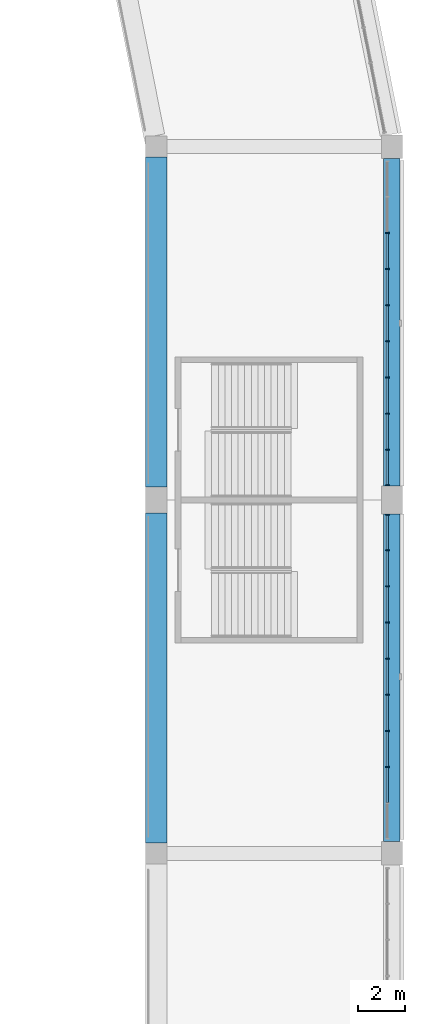
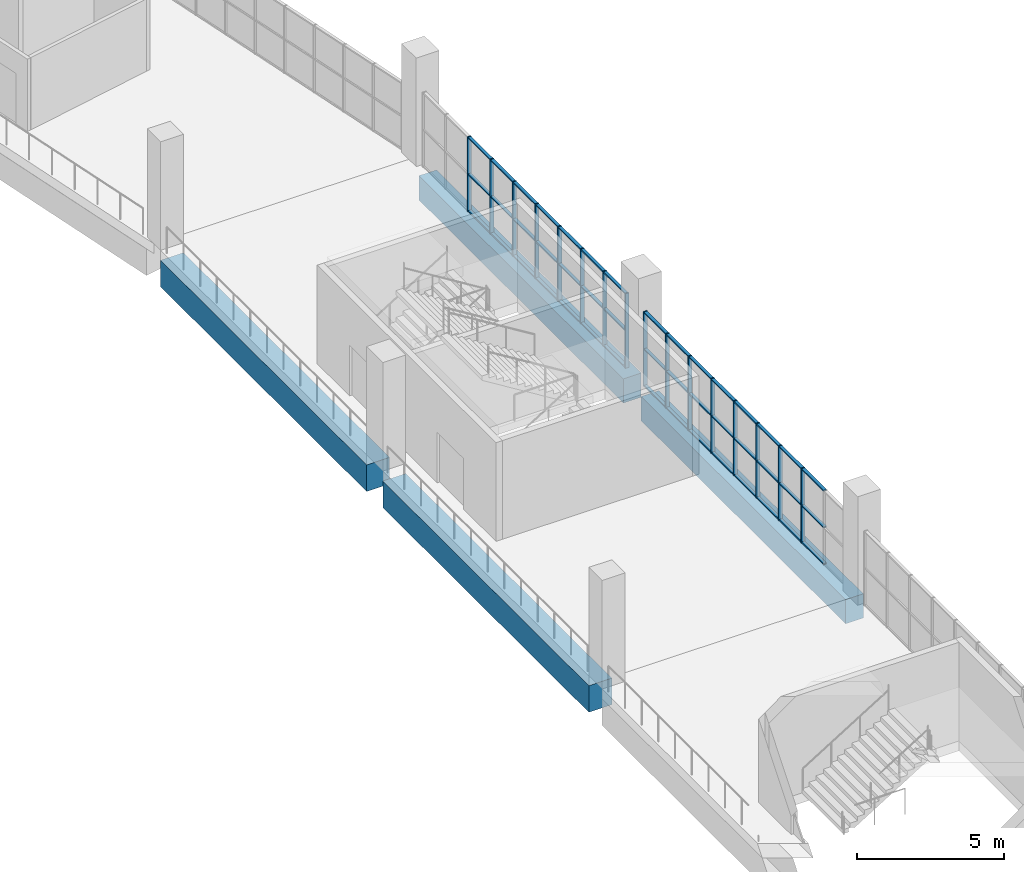
# One storey, part 36 of 177: 61 members, 4 beams, 2 elements without a shape of their own.
"""IFC4 building model written with IfcOpenShell, lengths in metres."""

from ifc_helpers import new_model, si_unit, direction, frame, origin, origin_2d, place, context, subcontext, project, spatial, rectangle, extrude, material, material_profile, profile_set, type_object, element, aggregate, save


model = new_model("IFC4")

# Units and contexts
model_context = context("Model", 3, precision=1e-05, world=origin(), true_north=direction((0.0, 1.0)))
body_context = subcontext(model_context, "Body", "Model", "MODEL_VIEW")
ifc_project = project(units=[si_unit("LENGTHUNIT", "METRE"), si_unit("AREAUNIT", "SQUARE_METRE"), si_unit("VOLUMEUNIT", "CUBIC_METRE"), si_unit("PLANEANGLEUNIT", "RADIAN"), si_unit("MASSUNIT", "GRAM", prefix="KILO")], contexts=[model_context])

# Site, building, storey
site_placement = place(None, origin())
site = spatial("IfcSite", under=ifc_project, at=site_placement, CompositionType="ELEMENT")
building_placement = place(site_placement, origin())
building = spatial("IfcBuilding", under=site, at=building_placement, Name="Ogive Plaza Stadium", CompositionType="ELEMENT")
storey_placement = place(building_placement, frame((0.0, 0.0, 18.0)))
storey = spatial("IfcBuildingStorey", under=building, at=storey_placement, Name="L04", CompositionType="ELEMENT", Elevation=18.0)

# Curtain wall, members
ifc_material_1 = material(Name="Bronze-anodised aluminium with laminated glass", Category="aluminium")
curtain_wall_type = type_object("IfcCurtainWallType", Name="Lancet curtain wall", PredefinedType="NOTDEFINED", material=ifc_material_1)
curtain_wall_1_placement = place(storey_placement, origin())
curtain_wall_1 = element("IfcCurtainWall", 1, at=curtain_wall_1_placement, inside=storey, type_object=curtain_wall_type, Name="CURTAIN WALL B01 L04", PredefinedType="NOTDEFINED")
ifc_material_2 = material(Name="Bronze-anodised aluminium", Category="aluminium")
ifc_material_profile_1 = material_profile(ifc_material_2, rectangle(XDim=0.14990234375, YDim=0.050048828125, at=origin_2d()), Name="AL 150x50")
ifc_profile_set_1 = profile_set([ifc_material_profile_1], Name="Bronze-anodised aluminium")
member_type_1 = type_object("IfcMemberType", Name="Curtain wall mullion 50x150", PredefinedType="MULLION", material=ifc_profile_set_1)
member_1_placement = place(storey_placement, frame((83.800048828125, 48.833251953125, 0.0), z_axis=(0.0, 0.0, 1.0), x_axis=(1.0, 0.0, 0.0)))
member_1 = element("IfcMember", 2, at=member_1_placement, type_object=member_type_1, Name="CW-B01-L04 mullion 3", PredefinedType="MULLION", context=body_context, shape_type="SweptSolid", body=[
    extrude(rectangle(XDim=0.14990234375, YDim=0.050048828125, at=origin_2d()), origin(), (0.0, 0.0, 1.0), 3.090087890625),
])
member_2_placement = place(storey_placement, frame((83.800048828125, 47.300048828125, 0.0), z_axis=(0.0, 0.0, 1.0), x_axis=(1.0, 0.0, 0.0)))
member_2 = element("IfcMember", 3, at=member_2_placement, type_object=member_type_1, Name="CW-B01-L04 mullion 4", PredefinedType="MULLION", context=body_context, shape_type="SweptSolid", body=[
    extrude(rectangle(XDim=0.14990234375, YDim=0.050048828125, at=origin_2d()), origin(), (0.0, 0.0, 1.0), 3.090087890625),
])
member_3_placement = place(storey_placement, frame((83.800048828125, 45.7666015625, 0.0), z_axis=(0.0, 0.0, 1.0), x_axis=(1.0, 0.0, 0.0)))
member_3 = element("IfcMember", 4, at=member_3_placement, type_object=member_type_1, Name="CW-B01-L04 mullion 5", PredefinedType="MULLION", context=body_context, shape_type="SweptSolid", body=[
    extrude(rectangle(XDim=0.14990234375, YDim=0.050048828125, at=origin_2d()), origin(), (0.0, 0.0, 1.0), 3.090087890625),
])
member_4_placement = place(storey_placement, frame((83.800048828125, 44.2333984375, 0.0), z_axis=(0.0, 0.0, 1.0), x_axis=(1.0, 0.0, 0.0)))
member_4 = element("IfcMember", 5, at=member_4_placement, type_object=member_type_1, Name="CW-B01-L04 mullion 6", PredefinedType="MULLION", context=body_context, shape_type="SweptSolid", body=[
    extrude(rectangle(XDim=0.14990234375, YDim=0.050048828125, at=origin_2d()), origin(), (0.0, 0.0, 1.0), 3.090087890625),
])
member_5_placement = place(storey_placement, frame((83.800048828125, 42.699951171875, 0.0), z_axis=(0.0, 0.0, 1.0), x_axis=(1.0, 0.0, 0.0)))
member_5 = element("IfcMember", 6, at=member_5_placement, type_object=member_type_1, Name="CW-B01-L04 mullion 7", PredefinedType="MULLION", context=body_context, shape_type="SweptSolid", body=[
    extrude(rectangle(XDim=0.14990234375, YDim=0.050048828125, at=origin_2d()), origin(), (0.0, 0.0, 1.0), 3.090087890625),
])
member_6_placement = place(storey_placement, frame((83.800048828125, 41.166748046875, 0.0), z_axis=(0.0, 0.0, 1.0), x_axis=(1.0, 0.0, 0.0)))
member_6 = element("IfcMember", 7, at=member_6_placement, type_object=member_type_1, Name="CW-B01-L04 mullion 8", PredefinedType="MULLION", context=body_context, shape_type="SweptSolid", body=[
    extrude(rectangle(XDim=0.14990234375, YDim=0.050048828125, at=origin_2d()), origin(), (0.0, 0.0, 1.0), 3.090087890625),
])
member_7_placement = place(storey_placement, frame((83.800048828125, 39.63330078125, 0.0), z_axis=(0.0, 0.0, 1.0), x_axis=(1.0, 0.0, 0.0)))
member_7 = element("IfcMember", 8, at=member_7_placement, type_object=member_type_1, Name="CW-B01-L04 mullion 9", PredefinedType="MULLION", context=body_context, shape_type="SweptSolid", body=[
    extrude(rectangle(XDim=0.14990234375, YDim=0.050048828125, at=origin_2d()), origin(), (0.0, 0.0, 1.0), 3.090087890625),
])
member_8_placement = place(storey_placement, frame((83.800048828125, 38.125, 0.0), z_axis=(0.0, 0.0, 1.0), x_axis=(1.0, 0.0, 0.0)))
member_8 = element("IfcMember", 9, at=member_8_placement, type_object=member_type_1, Name="CW-B01-L04 mullion 10", PredefinedType="MULLION", context=body_context, shape_type="SweptSolid", body=[
    extrude(rectangle(XDim=0.14990234375, YDim=0.050048828125, at=origin_2d()), origin(), (0.0, 0.0, 1.0), 3.090087890625),
])

curtain_wall_2_placement = place(storey_placement, origin())
curtain_wall_2 = element("IfcCurtainWall", 10, at=curtain_wall_2_placement, inside=storey, type_object=curtain_wall_type, Name="CURTAIN WALL B02 L04", PredefinedType="NOTDEFINED")
member_9_placement = place(storey_placement, frame((83.800048828125, 36.875, 0.0), z_axis=(0.0, 0.0, 1.0), x_axis=(1.0, 0.0, 0.0)))
member_9 = element("IfcMember", 11, at=member_9_placement, type_object=member_type_1, Name="CW-B02-L04 mullion 1", PredefinedType="MULLION", context=body_context, shape_type="SweptSolid", body=[
    extrude(rectangle(XDim=0.14990234375, YDim=0.050048828125, at=origin_2d()), origin(), (0.0, 0.0, 1.0), 3.090087890625),
])
member_10_placement = place(storey_placement, frame((83.800048828125, 35.36669921875, 0.0), z_axis=(0.0, 0.0, 1.0), x_axis=(1.0, 0.0, 0.0)))
member_10 = element("IfcMember", 12, at=member_10_placement, type_object=member_type_1, Name="CW-B02-L04 mullion 2", PredefinedType="MULLION", context=body_context, shape_type="SweptSolid", body=[
    extrude(rectangle(XDim=0.14990234375, YDim=0.050048828125, at=origin_2d()), origin(), (0.0, 0.0, 1.0), 3.090087890625),
])
member_11_placement = place(storey_placement, frame((83.800048828125, 33.833251953125, 0.0), z_axis=(0.0, 0.0, 1.0), x_axis=(1.0, 0.0, 0.0)))
member_11 = element("IfcMember", 13, at=member_11_placement, type_object=member_type_1, Name="CW-B02-L04 mullion 3", PredefinedType="MULLION", context=body_context, shape_type="SweptSolid", body=[
    extrude(rectangle(XDim=0.14990234375, YDim=0.050048828125, at=origin_2d()), origin(), (0.0, 0.0, 1.0), 3.090087890625),
])
member_12_placement = place(storey_placement, frame((83.800048828125, 32.300048828125, 0.0), z_axis=(0.0, 0.0, 1.0), x_axis=(1.0, 0.0, 0.0)))
member_12 = element("IfcMember", 14, at=member_12_placement, type_object=member_type_1, Name="CW-B02-L04 mullion 4", PredefinedType="MULLION", context=body_context, shape_type="SweptSolid", body=[
    extrude(rectangle(XDim=0.14990234375, YDim=0.050048828125, at=origin_2d()), origin(), (0.0, 0.0, 1.0), 3.090087890625),
])
member_13_placement = place(storey_placement, frame((83.800048828125, 30.7666015625, 0.0), z_axis=(0.0, 0.0, 1.0), x_axis=(1.0, 0.0, 0.0)))
member_13 = element("IfcMember", 15, at=member_13_placement, type_object=member_type_1, Name="CW-B02-L04 mullion 5", PredefinedType="MULLION", context=body_context, shape_type="SweptSolid", body=[
    extrude(rectangle(XDim=0.14990234375, YDim=0.050048828125, at=origin_2d()), origin(), (0.0, 0.0, 1.0), 3.090087890625),
])
member_14_placement = place(storey_placement, frame((83.800048828125, 29.2333984375, 0.0), z_axis=(0.0, 0.0, 1.0), x_axis=(1.0, 0.0, 0.0)))
member_14 = element("IfcMember", 16, at=member_14_placement, type_object=member_type_1, Name="CW-B02-L04 mullion 6", PredefinedType="MULLION", context=body_context, shape_type="SweptSolid", body=[
    extrude(rectangle(XDim=0.14990234375, YDim=0.050048828125, at=origin_2d()), origin(), (0.0, 0.0, 1.0), 3.090087890625),
])
member_15_placement = place(storey_placement, frame((83.800048828125, 27.699951171875, 0.0), z_axis=(0.0, 0.0, 1.0), x_axis=(1.0, 0.0, 0.0)))
member_15 = element("IfcMember", 17, at=member_15_placement, type_object=member_type_1, Name="CW-B02-L04 mullion 7", PredefinedType="MULLION", context=body_context, shape_type="SweptSolid", body=[
    extrude(rectangle(XDim=0.14990234375, YDim=0.050048828125, at=origin_2d()), origin(), (0.0, 0.0, 1.0), 3.090087890625),
])
member_16_placement = place(storey_placement, frame((83.800048828125, 26.166748046875, 0.0), z_axis=(0.0, 0.0, 1.0), x_axis=(1.0, 0.0, 0.0)))
member_16 = element("IfcMember", 18, at=member_16_placement, type_object=member_type_1, Name="CW-B02-L04 mullion 8", PredefinedType="MULLION", context=body_context, shape_type="SweptSolid", body=[
    extrude(rectangle(XDim=0.14990234375, YDim=0.050048828125, at=origin_2d()), origin(), (0.0, 0.0, 1.0), 3.090087890625),
])

# Member
ifc_material_3 = material(Name="Bronze-anodised aluminium", Category="aluminium")
ifc_material_profile_2 = material_profile(ifc_material_3, rectangle(XDim=0.1201171875, YDim=0.050048828125, at=origin_2d()), Name="AL 120x50")
ifc_profile_set_2 = profile_set([ifc_material_profile_2], Name="Bronze-anodised aluminium")
member_type_2 = type_object("IfcMemberType", Name="Curtain wall transom 50x120", PredefinedType="USERDEFINED", material=ifc_profile_set_2)
member_17_placement = place(storey_placement, frame((83.800048828125, 48.808349609375, 0.02490234375), z_axis=(0.0, -1.0, 0.0), x_axis=(1.0, 0.0, 0.0)))
member_17 = element("IfcMember", 19, at=member_17_placement, type_object=member_type_2, Name="CW-B01-L04 transom 3.1", ObjectType="TRANSOM", PredefinedType="USERDEFINED", context=body_context, shape_type="SweptSolid", body=[
    extrude(rectangle(XDim=0.1201171875, YDim=0.050048828125, at=origin_2d()), origin(), (0.0, 0.0, 1.0), 1.4833984375),
])

member_18_placement = place(storey_placement, frame((83.800048828125, 48.808349609375, 1.544921875), z_axis=(0.0, -1.0, 0.0), x_axis=(1.0, 0.0, 0.0)))
member_18 = element("IfcMember", 20, at=member_18_placement, type_object=member_type_2, Name="CW-B01-L04 transom 3.2", ObjectType="TRANSOM", PredefinedType="USERDEFINED", context=body_context, shape_type="SweptSolid", body=[
    extrude(rectangle(XDim=0.1201171875, YDim=0.050048828125, at=origin_2d()), origin(), (0.0, 0.0, 1.0), 1.4833984375),
])

member_19_placement = place(storey_placement, frame((83.800048828125, 48.808349609375, 3.06494140625), z_axis=(0.0, -1.0, 0.0), x_axis=(1.0, 0.0, 0.0)))
member_19 = element("IfcMember", 21, at=member_19_placement, type_object=member_type_2, Name="CW-B01-L04 transom 3.3", ObjectType="TRANSOM", PredefinedType="USERDEFINED", context=body_context, shape_type="SweptSolid", body=[
    extrude(rectangle(XDim=0.1201171875, YDim=0.050048828125, at=origin_2d()), origin(), (0.0, 0.0, 1.0), 1.4833984375),
])

member_20_placement = place(storey_placement, frame((83.800048828125, 47.27490234375, 0.02490234375), z_axis=(0.0, -1.0, 0.0), x_axis=(1.0, 0.0, 0.0)))
member_20 = element("IfcMember", 22, at=member_20_placement, type_object=member_type_2, Name="CW-B01-L04 transom 4.1", ObjectType="TRANSOM", PredefinedType="USERDEFINED", context=body_context, shape_type="SweptSolid", body=[
    extrude(rectangle(XDim=0.1201171875, YDim=0.050048828125, at=origin_2d()), origin(), (0.0, 0.0, 1.0), 1.483154296875),
])

member_21_placement = place(storey_placement, frame((83.800048828125, 47.27490234375, 1.544921875), z_axis=(0.0, -1.0, 0.0), x_axis=(1.0, 0.0, 0.0)))
member_21 = element("IfcMember", 23, at=member_21_placement, type_object=member_type_2, Name="CW-B01-L04 transom 4.2", ObjectType="TRANSOM", PredefinedType="USERDEFINED", context=body_context, shape_type="SweptSolid", body=[
    extrude(rectangle(XDim=0.1201171875, YDim=0.050048828125, at=origin_2d()), origin(), (0.0, 0.0, 1.0), 1.483154296875),
])

member_22_placement = place(storey_placement, frame((83.800048828125, 47.27490234375, 3.06494140625), z_axis=(0.0, -1.0, 0.0), x_axis=(1.0, 0.0, 0.0)))
member_22 = element("IfcMember", 24, at=member_22_placement, type_object=member_type_2, Name="CW-B01-L04 transom 4.3", ObjectType="TRANSOM", PredefinedType="USERDEFINED", context=body_context, shape_type="SweptSolid", body=[
    extrude(rectangle(XDim=0.1201171875, YDim=0.050048828125, at=origin_2d()), origin(), (0.0, 0.0, 1.0), 1.483154296875),
])

member_23_placement = place(storey_placement, frame((83.800048828125, 45.74169921875, 0.02490234375), z_axis=(0.0, -1.0, 0.0), x_axis=(1.0, 0.0, 0.0)))
member_23 = element("IfcMember", 25, at=member_23_placement, type_object=member_type_2, Name="CW-B01-L04 transom 5.1", ObjectType="TRANSOM", PredefinedType="USERDEFINED", context=body_context, shape_type="SweptSolid", body=[
    extrude(rectangle(XDim=0.1201171875, YDim=0.050048828125, at=origin_2d()), origin(), (0.0, 0.0, 1.0), 1.4833984375),
])

member_24_placement = place(storey_placement, frame((83.800048828125, 45.74169921875, 1.544921875), z_axis=(0.0, -1.0, 0.0), x_axis=(1.0, 0.0, 0.0)))
member_24 = element("IfcMember", 26, at=member_24_placement, type_object=member_type_2, Name="CW-B01-L04 transom 5.2", ObjectType="TRANSOM", PredefinedType="USERDEFINED", context=body_context, shape_type="SweptSolid", body=[
    extrude(rectangle(XDim=0.1201171875, YDim=0.050048828125, at=origin_2d()), origin(), (0.0, 0.0, 1.0), 1.4833984375),
])

member_25_placement = place(storey_placement, frame((83.800048828125, 45.74169921875, 3.06494140625), z_axis=(0.0, -1.0, 0.0), x_axis=(1.0, 0.0, 0.0)))
member_25 = element("IfcMember", 27, at=member_25_placement, type_object=member_type_2, Name="CW-B01-L04 transom 5.3", ObjectType="TRANSOM", PredefinedType="USERDEFINED", context=body_context, shape_type="SweptSolid", body=[
    extrude(rectangle(XDim=0.1201171875, YDim=0.050048828125, at=origin_2d()), origin(), (0.0, 0.0, 1.0), 1.4833984375),
])

member_26_placement = place(storey_placement, frame((83.800048828125, 44.208251953125, 0.02490234375), z_axis=(0.0, -1.0, 0.0), x_axis=(1.0, 0.0, 0.0)))
member_26 = element("IfcMember", 28, at=member_26_placement, type_object=member_type_2, Name="CW-B01-L04 transom 6.1", ObjectType="TRANSOM", PredefinedType="USERDEFINED", context=body_context, shape_type="SweptSolid", body=[
    extrude(rectangle(XDim=0.1201171875, YDim=0.050048828125, at=origin_2d()), origin(), (0.0, 0.0, 1.0), 1.483154296875),
])

member_27_placement = place(storey_placement, frame((83.800048828125, 44.208251953125, 1.544921875), z_axis=(0.0, -1.0, 0.0), x_axis=(1.0, 0.0, 0.0)))
member_27 = element("IfcMember", 29, at=member_27_placement, type_object=member_type_2, Name="CW-B01-L04 transom 6.2", ObjectType="TRANSOM", PredefinedType="USERDEFINED", context=body_context, shape_type="SweptSolid", body=[
    extrude(rectangle(XDim=0.1201171875, YDim=0.050048828125, at=origin_2d()), origin(), (0.0, 0.0, 1.0), 1.483154296875),
])

member_28_placement = place(storey_placement, frame((83.800048828125, 44.208251953125, 3.06494140625), z_axis=(0.0, -1.0, 0.0), x_axis=(1.0, 0.0, 0.0)))
member_28 = element("IfcMember", 30, at=member_28_placement, type_object=member_type_2, Name="CW-B01-L04 transom 6.3", ObjectType="TRANSOM", PredefinedType="USERDEFINED", context=body_context, shape_type="SweptSolid", body=[
    extrude(rectangle(XDim=0.1201171875, YDim=0.050048828125, at=origin_2d()), origin(), (0.0, 0.0, 1.0), 1.483154296875),
])

member_29_placement = place(storey_placement, frame((83.800048828125, 42.675048828125, 0.02490234375), z_axis=(0.0, -1.0, 0.0), x_axis=(1.0, 0.0, 0.0)))
member_29 = element("IfcMember", 31, at=member_29_placement, type_object=member_type_2, Name="CW-B01-L04 transom 7.1", ObjectType="TRANSOM", PredefinedType="USERDEFINED", context=body_context, shape_type="SweptSolid", body=[
    extrude(rectangle(XDim=0.1201171875, YDim=0.050048828125, at=origin_2d()), origin(), (0.0, 0.0, 1.0), 1.4833984375),
])

member_30_placement = place(storey_placement, frame((83.800048828125, 42.675048828125, 1.544921875), z_axis=(0.0, -1.0, 0.0), x_axis=(1.0, 0.0, 0.0)))
member_30 = element("IfcMember", 32, at=member_30_placement, type_object=member_type_2, Name="CW-B01-L04 transom 7.2", ObjectType="TRANSOM", PredefinedType="USERDEFINED", context=body_context, shape_type="SweptSolid", body=[
    extrude(rectangle(XDim=0.1201171875, YDim=0.050048828125, at=origin_2d()), origin(), (0.0, 0.0, 1.0), 1.4833984375),
])

member_31_placement = place(storey_placement, frame((83.800048828125, 42.675048828125, 3.06494140625), z_axis=(0.0, -1.0, 0.0), x_axis=(1.0, 0.0, 0.0)))
member_31 = element("IfcMember", 33, at=member_31_placement, type_object=member_type_2, Name="CW-B01-L04 transom 7.3", ObjectType="TRANSOM", PredefinedType="USERDEFINED", context=body_context, shape_type="SweptSolid", body=[
    extrude(rectangle(XDim=0.1201171875, YDim=0.050048828125, at=origin_2d()), origin(), (0.0, 0.0, 1.0), 1.4833984375),
])

member_32_placement = place(storey_placement, frame((83.800048828125, 41.1416015625, 0.02490234375), z_axis=(0.0, -1.0, 0.0), x_axis=(1.0, 0.0, 0.0)))
member_32 = element("IfcMember", 34, at=member_32_placement, type_object=member_type_2, Name="CW-B01-L04 transom 8.1", ObjectType="TRANSOM", PredefinedType="USERDEFINED", context=body_context, shape_type="SweptSolid", body=[
    extrude(rectangle(XDim=0.1201171875, YDim=0.050048828125, at=origin_2d()), origin(), (0.0, 0.0, 1.0), 1.483154296875),
])

member_33_placement = place(storey_placement, frame((83.800048828125, 41.1416015625, 1.544921875), z_axis=(0.0, -1.0, 0.0), x_axis=(1.0, 0.0, 0.0)))
member_33 = element("IfcMember", 35, at=member_33_placement, type_object=member_type_2, Name="CW-B01-L04 transom 8.2", ObjectType="TRANSOM", PredefinedType="USERDEFINED", context=body_context, shape_type="SweptSolid", body=[
    extrude(rectangle(XDim=0.1201171875, YDim=0.050048828125, at=origin_2d()), origin(), (0.0, 0.0, 1.0), 1.483154296875),
])

member_34_placement = place(storey_placement, frame((83.800048828125, 41.1416015625, 3.06494140625), z_axis=(0.0, -1.0, 0.0), x_axis=(1.0, 0.0, 0.0)))
member_34 = element("IfcMember", 36, at=member_34_placement, type_object=member_type_2, Name="CW-B01-L04 transom 8.3", ObjectType="TRANSOM", PredefinedType="USERDEFINED", context=body_context, shape_type="SweptSolid", body=[
    extrude(rectangle(XDim=0.1201171875, YDim=0.050048828125, at=origin_2d()), origin(), (0.0, 0.0, 1.0), 1.483154296875),
])

member_35_placement = place(storey_placement, frame((83.800048828125, 39.6083984375, 0.02490234375), z_axis=(0.0, -1.0, 0.0), x_axis=(1.0, 0.0, 0.0)))
member_35 = element("IfcMember", 37, at=member_35_placement, type_object=member_type_2, Name="CW-B01-L04 transom 9.1", ObjectType="TRANSOM", PredefinedType="USERDEFINED", context=body_context, shape_type="SweptSolid", body=[
    extrude(rectangle(XDim=0.1201171875, YDim=0.050048828125, at=origin_2d()), origin(), (0.0, 0.0, 1.0), 1.45849609375),
])

member_36_placement = place(storey_placement, frame((83.800048828125, 39.6083984375, 1.544921875), z_axis=(0.0, -1.0, 0.0), x_axis=(1.0, 0.0, 0.0)))
member_36 = element("IfcMember", 38, at=member_36_placement, type_object=member_type_2, Name="CW-B01-L04 transom 9.2", ObjectType="TRANSOM", PredefinedType="USERDEFINED", context=body_context, shape_type="SweptSolid", body=[
    extrude(rectangle(XDim=0.1201171875, YDim=0.050048828125, at=origin_2d()), origin(), (0.0, 0.0, 1.0), 1.45849609375),
])

member_37_placement = place(storey_placement, frame((83.800048828125, 39.6083984375, 3.06494140625), z_axis=(0.0, -1.0, 0.0), x_axis=(1.0, 0.0, 0.0)))
member_37 = element("IfcMember", 39, at=member_37_placement, type_object=member_type_2, Name="CW-B01-L04 transom 9.3", ObjectType="TRANSOM", PredefinedType="USERDEFINED", context=body_context, shape_type="SweptSolid", body=[
    extrude(rectangle(XDim=0.1201171875, YDim=0.050048828125, at=origin_2d()), origin(), (0.0, 0.0, 1.0), 1.45849609375),
])

aggregate(curtain_wall_1, [member_1, member_2, member_3, member_4, member_5, member_6, member_7, member_8, member_17, member_18, member_19, member_20, member_21, member_22, member_23, member_24, member_25, member_26, member_27, member_28, member_29, member_30, member_31, member_32, member_33, member_34, member_35, member_36, member_37])

member_38_placement = place(storey_placement, frame((83.800048828125, 36.85009765625, 0.02490234375), z_axis=(0.0, -1.0, 0.0), x_axis=(1.0, 0.0, 0.0)))
member_38 = element("IfcMember", 40, at=member_38_placement, type_object=member_type_2, Name="CW-B02-L04 transom 1.1", ObjectType="TRANSOM", PredefinedType="USERDEFINED", context=body_context, shape_type="SweptSolid", body=[
    extrude(rectangle(XDim=0.1201171875, YDim=0.050048828125, at=origin_2d()), origin(), (0.0, 0.0, 1.0), 1.45849609375),
])

member_39_placement = place(storey_placement, frame((83.800048828125, 36.85009765625, 1.544921875), z_axis=(0.0, -1.0, 0.0), x_axis=(1.0, 0.0, 0.0)))
member_39 = element("IfcMember", 41, at=member_39_placement, type_object=member_type_2, Name="CW-B02-L04 transom 1.2", ObjectType="TRANSOM", PredefinedType="USERDEFINED", context=body_context, shape_type="SweptSolid", body=[
    extrude(rectangle(XDim=0.1201171875, YDim=0.050048828125, at=origin_2d()), origin(), (0.0, 0.0, 1.0), 1.45849609375),
])

member_40_placement = place(storey_placement, frame((83.800048828125, 36.85009765625, 3.06494140625), z_axis=(0.0, -1.0, 0.0), x_axis=(1.0, 0.0, 0.0)))
member_40 = element("IfcMember", 42, at=member_40_placement, type_object=member_type_2, Name="CW-B02-L04 transom 1.3", ObjectType="TRANSOM", PredefinedType="USERDEFINED", context=body_context, shape_type="SweptSolid", body=[
    extrude(rectangle(XDim=0.1201171875, YDim=0.050048828125, at=origin_2d()), origin(), (0.0, 0.0, 1.0), 1.45849609375),
])

member_41_placement = place(storey_placement, frame((83.800048828125, 35.341552734375, 0.02490234375), z_axis=(0.0, -1.0, 0.0), x_axis=(1.0, 0.0, 0.0)))
member_41 = element("IfcMember", 43, at=member_41_placement, type_object=member_type_2, Name="CW-B02-L04 transom 2.1", ObjectType="TRANSOM", PredefinedType="USERDEFINED", context=body_context, shape_type="SweptSolid", body=[
    extrude(rectangle(XDim=0.1201171875, YDim=0.050048828125, at=origin_2d()), origin(), (0.0, 0.0, 1.0), 1.483154296875),
])

member_42_placement = place(storey_placement, frame((83.800048828125, 35.341552734375, 1.544921875), z_axis=(0.0, -1.0, 0.0), x_axis=(1.0, 0.0, 0.0)))
member_42 = element("IfcMember", 44, at=member_42_placement, type_object=member_type_2, Name="CW-B02-L04 transom 2.2", ObjectType="TRANSOM", PredefinedType="USERDEFINED", context=body_context, shape_type="SweptSolid", body=[
    extrude(rectangle(XDim=0.1201171875, YDim=0.050048828125, at=origin_2d()), origin(), (0.0, 0.0, 1.0), 1.483154296875),
])

member_43_placement = place(storey_placement, frame((83.800048828125, 35.341552734375, 3.06494140625), z_axis=(0.0, -1.0, 0.0), x_axis=(1.0, 0.0, 0.0)))
member_43 = element("IfcMember", 45, at=member_43_placement, type_object=member_type_2, Name="CW-B02-L04 transom 2.3", ObjectType="TRANSOM", PredefinedType="USERDEFINED", context=body_context, shape_type="SweptSolid", body=[
    extrude(rectangle(XDim=0.1201171875, YDim=0.050048828125, at=origin_2d()), origin(), (0.0, 0.0, 1.0), 1.483154296875),
])

member_44_placement = place(storey_placement, frame((83.800048828125, 33.808349609375, 0.02490234375), z_axis=(0.0, -1.0, 0.0), x_axis=(1.0, 0.0, 0.0)))
member_44 = element("IfcMember", 46, at=member_44_placement, type_object=member_type_2, Name="CW-B02-L04 transom 3.1", ObjectType="TRANSOM", PredefinedType="USERDEFINED", context=body_context, shape_type="SweptSolid", body=[
    extrude(rectangle(XDim=0.1201171875, YDim=0.050048828125, at=origin_2d()), origin(), (0.0, 0.0, 1.0), 1.4833984375),
])

member_45_placement = place(storey_placement, frame((83.800048828125, 33.808349609375, 1.544921875), z_axis=(0.0, -1.0, 0.0), x_axis=(1.0, 0.0, 0.0)))
member_45 = element("IfcMember", 47, at=member_45_placement, type_object=member_type_2, Name="CW-B02-L04 transom 3.2", ObjectType="TRANSOM", PredefinedType="USERDEFINED", context=body_context, shape_type="SweptSolid", body=[
    extrude(rectangle(XDim=0.1201171875, YDim=0.050048828125, at=origin_2d()), origin(), (0.0, 0.0, 1.0), 1.4833984375),
])

member_46_placement = place(storey_placement, frame((83.800048828125, 33.808349609375, 3.06494140625), z_axis=(0.0, -1.0, 0.0), x_axis=(1.0, 0.0, 0.0)))
member_46 = element("IfcMember", 48, at=member_46_placement, type_object=member_type_2, Name="CW-B02-L04 transom 3.3", ObjectType="TRANSOM", PredefinedType="USERDEFINED", context=body_context, shape_type="SweptSolid", body=[
    extrude(rectangle(XDim=0.1201171875, YDim=0.050048828125, at=origin_2d()), origin(), (0.0, 0.0, 1.0), 1.4833984375),
])

member_47_placement = place(storey_placement, frame((83.800048828125, 32.27490234375, 0.02490234375), z_axis=(0.0, -1.0, 0.0), x_axis=(1.0, 0.0, 0.0)))
member_47 = element("IfcMember", 49, at=member_47_placement, type_object=member_type_2, Name="CW-B02-L04 transom 4.1", ObjectType="TRANSOM", PredefinedType="USERDEFINED", context=body_context, shape_type="SweptSolid", body=[
    extrude(rectangle(XDim=0.1201171875, YDim=0.050048828125, at=origin_2d()), origin(), (0.0, 0.0, 1.0), 1.483154296875),
])

member_48_placement = place(storey_placement, frame((83.800048828125, 32.27490234375, 1.544921875), z_axis=(0.0, -1.0, 0.0), x_axis=(1.0, 0.0, 0.0)))
member_48 = element("IfcMember", 50, at=member_48_placement, type_object=member_type_2, Name="CW-B02-L04 transom 4.2", ObjectType="TRANSOM", PredefinedType="USERDEFINED", context=body_context, shape_type="SweptSolid", body=[
    extrude(rectangle(XDim=0.1201171875, YDim=0.050048828125, at=origin_2d()), origin(), (0.0, 0.0, 1.0), 1.483154296875),
])

member_49_placement = place(storey_placement, frame((83.800048828125, 32.27490234375, 3.06494140625), z_axis=(0.0, -1.0, 0.0), x_axis=(1.0, 0.0, 0.0)))
member_49 = element("IfcMember", 51, at=member_49_placement, type_object=member_type_2, Name="CW-B02-L04 transom 4.3", ObjectType="TRANSOM", PredefinedType="USERDEFINED", context=body_context, shape_type="SweptSolid", body=[
    extrude(rectangle(XDim=0.1201171875, YDim=0.050048828125, at=origin_2d()), origin(), (0.0, 0.0, 1.0), 1.483154296875),
])

member_50_placement = place(storey_placement, frame((83.800048828125, 30.74169921875, 0.02490234375), z_axis=(0.0, -1.0, 0.0), x_axis=(1.0, 0.0, 0.0)))
member_50 = element("IfcMember", 52, at=member_50_placement, type_object=member_type_2, Name="CW-B02-L04 transom 5.1", ObjectType="TRANSOM", PredefinedType="USERDEFINED", context=body_context, shape_type="SweptSolid", body=[
    extrude(rectangle(XDim=0.1201171875, YDim=0.050048828125, at=origin_2d()), origin(), (0.0, 0.0, 1.0), 1.4833984375),
])

member_51_placement = place(storey_placement, frame((83.800048828125, 30.74169921875, 1.544921875), z_axis=(0.0, -1.0, 0.0), x_axis=(1.0, 0.0, 0.0)))
member_51 = element("IfcMember", 53, at=member_51_placement, type_object=member_type_2, Name="CW-B02-L04 transom 5.2", ObjectType="TRANSOM", PredefinedType="USERDEFINED", context=body_context, shape_type="SweptSolid", body=[
    extrude(rectangle(XDim=0.1201171875, YDim=0.050048828125, at=origin_2d()), origin(), (0.0, 0.0, 1.0), 1.4833984375),
])

member_52_placement = place(storey_placement, frame((83.800048828125, 30.74169921875, 3.06494140625), z_axis=(0.0, -1.0, 0.0), x_axis=(1.0, 0.0, 0.0)))
member_52 = element("IfcMember", 54, at=member_52_placement, type_object=member_type_2, Name="CW-B02-L04 transom 5.3", ObjectType="TRANSOM", PredefinedType="USERDEFINED", context=body_context, shape_type="SweptSolid", body=[
    extrude(rectangle(XDim=0.1201171875, YDim=0.050048828125, at=origin_2d()), origin(), (0.0, 0.0, 1.0), 1.4833984375),
])

member_53_placement = place(storey_placement, frame((83.800048828125, 29.208251953125, 0.02490234375), z_axis=(0.0, -1.0, 0.0), x_axis=(1.0, 0.0, 0.0)))
member_53 = element("IfcMember", 55, at=member_53_placement, type_object=member_type_2, Name="CW-B02-L04 transom 6.1", ObjectType="TRANSOM", PredefinedType="USERDEFINED", context=body_context, shape_type="SweptSolid", body=[
    extrude(rectangle(XDim=0.1201171875, YDim=0.050048828125, at=origin_2d()), origin(), (0.0, 0.0, 1.0), 1.483154296875),
])

member_54_placement = place(storey_placement, frame((83.800048828125, 29.208251953125, 1.544921875), z_axis=(0.0, -1.0, 0.0), x_axis=(1.0, 0.0, 0.0)))
member_54 = element("IfcMember", 56, at=member_54_placement, type_object=member_type_2, Name="CW-B02-L04 transom 6.2", ObjectType="TRANSOM", PredefinedType="USERDEFINED", context=body_context, shape_type="SweptSolid", body=[
    extrude(rectangle(XDim=0.1201171875, YDim=0.050048828125, at=origin_2d()), origin(), (0.0, 0.0, 1.0), 1.483154296875),
])

member_55_placement = place(storey_placement, frame((83.800048828125, 29.208251953125, 3.06494140625), z_axis=(0.0, -1.0, 0.0), x_axis=(1.0, 0.0, 0.0)))
member_55 = element("IfcMember", 57, at=member_55_placement, type_object=member_type_2, Name="CW-B02-L04 transom 6.3", ObjectType="TRANSOM", PredefinedType="USERDEFINED", context=body_context, shape_type="SweptSolid", body=[
    extrude(rectangle(XDim=0.1201171875, YDim=0.050048828125, at=origin_2d()), origin(), (0.0, 0.0, 1.0), 1.483154296875),
])

member_56_placement = place(storey_placement, frame((83.800048828125, 27.675048828125, 0.02490234375), z_axis=(0.0, -1.0, 0.0), x_axis=(1.0, 0.0, 0.0)))
member_56 = element("IfcMember", 58, at=member_56_placement, type_object=member_type_2, Name="CW-B02-L04 transom 7.1", ObjectType="TRANSOM", PredefinedType="USERDEFINED", context=body_context, shape_type="SweptSolid", body=[
    extrude(rectangle(XDim=0.1201171875, YDim=0.050048828125, at=origin_2d()), origin(), (0.0, 0.0, 1.0), 1.4833984375),
])

member_57_placement = place(storey_placement, frame((83.800048828125, 27.675048828125, 1.544921875), z_axis=(0.0, -1.0, 0.0), x_axis=(1.0, 0.0, 0.0)))
member_57 = element("IfcMember", 59, at=member_57_placement, type_object=member_type_2, Name="CW-B02-L04 transom 7.2", ObjectType="TRANSOM", PredefinedType="USERDEFINED", context=body_context, shape_type="SweptSolid", body=[
    extrude(rectangle(XDim=0.1201171875, YDim=0.050048828125, at=origin_2d()), origin(), (0.0, 0.0, 1.0), 1.4833984375),
])

member_58_placement = place(storey_placement, frame((83.800048828125, 27.675048828125, 3.06494140625), z_axis=(0.0, -1.0, 0.0), x_axis=(1.0, 0.0, 0.0)))
member_58 = element("IfcMember", 60, at=member_58_placement, type_object=member_type_2, Name="CW-B02-L04 transom 7.3", ObjectType="TRANSOM", PredefinedType="USERDEFINED", context=body_context, shape_type="SweptSolid", body=[
    extrude(rectangle(XDim=0.1201171875, YDim=0.050048828125, at=origin_2d()), origin(), (0.0, 0.0, 1.0), 1.4833984375),
])

member_59_placement = place(storey_placement, frame((83.800048828125, 26.1416015625, 0.02490234375), z_axis=(0.0, -1.0, 0.0), x_axis=(1.0, 0.0, 0.0)))
member_59 = element("IfcMember", 61, at=member_59_placement, type_object=member_type_2, Name="CW-B02-L04 transom 8.1", ObjectType="TRANSOM", PredefinedType="USERDEFINED", context=body_context, shape_type="SweptSolid", body=[
    extrude(rectangle(XDim=0.1201171875, YDim=0.050048828125, at=origin_2d()), origin(), (0.0, 0.0, 1.0), 1.483154296875),
])

member_60_placement = place(storey_placement, frame((83.800048828125, 26.1416015625, 1.544921875), z_axis=(0.0, -1.0, 0.0), x_axis=(1.0, 0.0, 0.0)))
member_60 = element("IfcMember", 62, at=member_60_placement, type_object=member_type_2, Name="CW-B02-L04 transom 8.2", ObjectType="TRANSOM", PredefinedType="USERDEFINED", context=body_context, shape_type="SweptSolid", body=[
    extrude(rectangle(XDim=0.1201171875, YDim=0.050048828125, at=origin_2d()), origin(), (0.0, 0.0, 1.0), 1.483154296875),
])

member_61_placement = place(storey_placement, frame((83.800048828125, 26.1416015625, 3.06494140625), z_axis=(0.0, -1.0, 0.0), x_axis=(1.0, 0.0, 0.0)))
member_61 = element("IfcMember", 63, at=member_61_placement, type_object=member_type_2, Name="CW-B02-L04 transom 8.3", ObjectType="TRANSOM", PredefinedType="USERDEFINED", context=body_context, shape_type="SweptSolid", body=[
    extrude(rectangle(XDim=0.1201171875, YDim=0.050048828125, at=origin_2d()), origin(), (0.0, 0.0, 1.0), 1.483154296875),
])

aggregate(curtain_wall_2, [member_9, member_10, member_11, member_12, member_13, member_14, member_15, member_16, member_38, member_39, member_40, member_41, member_42, member_43, member_44, member_45, member_46, member_47, member_48, member_49, member_50, member_51, member_52, member_53, member_54, member_55, member_56, member_57, member_58, member_59, member_60, member_61])

# Beams
ifc_material_4 = material(Name="Concrete C40/50", Category="concrete")
ifc_material_profile_3 = material_profile(ifc_material_4, rectangle(XDim=0.89990234375, YDim=1.10009765625, at=origin_2d()), Name="RC 900x1100")
ifc_profile_set_3 = profile_set([ifc_material_profile_3], Name="Concrete C40/50")
beam_type_1 = type_object("IfcBeamType", Name="RC ring beam 900x1100", PredefinedType="BEAM", material=ifc_profile_set_3)
for number, where, z_axis, x_axis, name in (
    (64, (74.0, 52.050048828125, -0.9599609375), (0.0, -1.0, 0.0), (1.0, 0.0, 0.0), "Ring beam F4 L04 B01"),
    (65, (74.0, 36.949951171875, -0.9599609375), (0.0, -1.0, 0.0), (1.0, 0.0, 0.0), "Ring beam F4 L04 B02"),
):
    element("IfcBeam", number, at=place(storey_placement, frame(where, z_axis=z_axis, x_axis=x_axis)), inside=storey, type_object=beam_type_1, Name=name, PredefinedType="BEAM", context=body_context, shape_type="SweptSolid", body=[
        extrude(rectangle(XDim=0.89990234375, YDim=1.10009765625, at=origin_2d()), origin(), (0.0, 0.0, 1.0), 14.0),
    ])
ifc_material_5 = material(Name="Concrete C40/50", Category="concrete")
ifc_material_profile_4 = material_profile(ifc_material_5, rectangle(XDim=0.699951171875, YDim=1.0, at=origin_2d()), Name="RC 700x1000")
ifc_profile_set_4 = profile_set([ifc_material_profile_4], Name="Concrete C40/50")
beam_type_2 = type_object("IfcBeamType", Name="RC spandrel beam 700x1000", PredefinedType="SPANDREL", material=ifc_profile_set_4)
for number, where, z_axis, x_axis, name in (
    (66, (84.0, 52.0, -0.909912109375), (0.0, -1.0, 0.0), (1.0, 0.0, 0.0), "Ring beam F5 L04 B01"),
    (67, (84.0, 36.89990234375, -0.909912109375), (0.0, -1.0, 0.0), (1.0, 0.0, 0.0), "Ring beam F5 L04 B02"),
):
    element("IfcBeam", number, at=place(storey_placement, frame(where, z_axis=z_axis, x_axis=x_axis)), inside=storey, type_object=beam_type_2, Name=name, PredefinedType="SPANDREL", context=body_context, shape_type="SweptSolid", body=[
        extrude(rectangle(XDim=0.699951171875, YDim=1.0, at=origin_2d()), origin(), (0.0, 0.0, 1.0), 13.89990234375),
    ])

save(model, "model.ifc")
